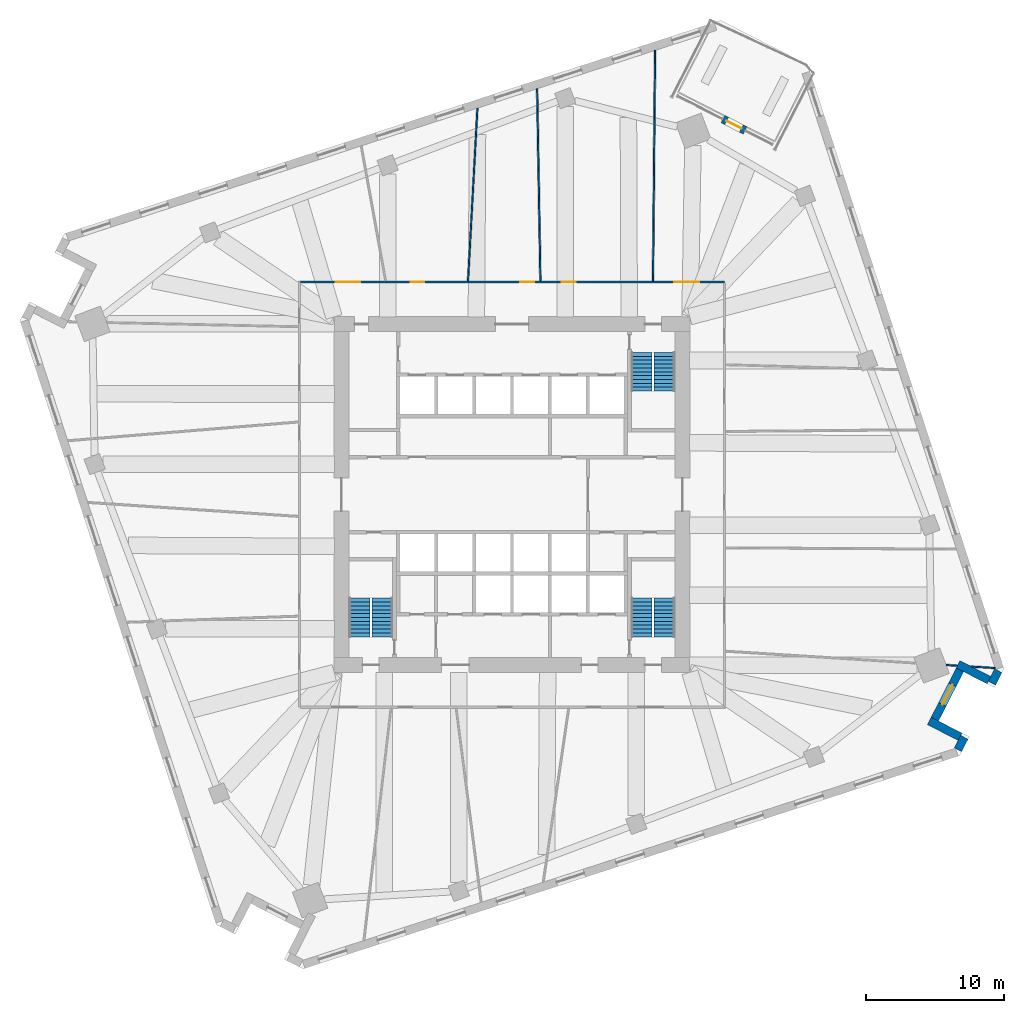
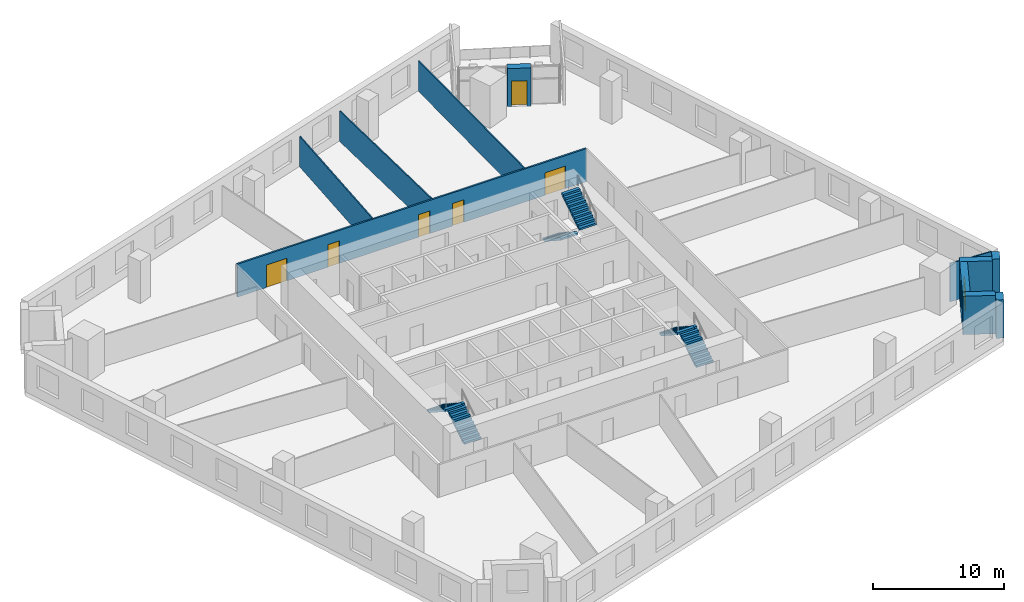
# One storey, part 10 of 12: 12 walls, 6 doors, 6 stair flights, 1 window, 7 openings, 3 elements without a shape of their own.
"""IFC4 building model written with IfcOpenShell, lengths in metres."""

from ifc_helpers import new_model, si_unit, direction, frame, frame_2d, origin, place, context, subcontext, project, spatial, polyline, rectangle, outline, extrude, material, layer, layer_set, type_object, element, fill, aggregate, save


model = new_model("IFC4")

# Units and contexts
model_context = context("Model", 3, precision=1e-05, world=origin(), true_north=direction((0.0, 1.0)))
body_context = subcontext(model_context, "Body", "Model", "MODEL_VIEW")
ifc_project = project(units=[si_unit("LENGTHUNIT", "METRE"), si_unit("AREAUNIT", "SQUARE_METRE"), si_unit("VOLUMEUNIT", "CUBIC_METRE"), si_unit("PLANEANGLEUNIT", "RADIAN"), si_unit("MASSUNIT", "GRAM", prefix="KILO")], contexts=[model_context])

# Site, building, storey
site_placement = place(None, origin())
site = spatial("IfcSite", under=ifc_project, at=site_placement, CompositionType="ELEMENT")
building_placement = place(site_placement, origin())
building = spatial("IfcBuilding", under=site, at=building_placement, Name="Dilmun Exchange Tower", CompositionType="ELEMENT")
storey_placement = place(building_placement, frame((0.0, 0.0, 90.10009765625)))
storey = spatial("IfcBuildingStorey", under=building, at=storey_placement, Name="L20", CompositionType="ELEMENT", Elevation=90.10009765625)

# Wall, openings, doors
ifc_material_1 = material(Name="Corridor wall 150")
ifc_layer_1 = layer(ifc_material_1, 0.14990234375)
ifc_layer_set_1 = layer_set([ifc_layer_1], Name="Corridor wall 150")
wall_type_1 = type_object("IfcWallType", Name="Corridor wall 150", PredefinedType="PARTITIONING", material=ifc_layer_set_1)
wall_1_placement = place(storey_placement, frame((-15.324951171875, 15.39990234375, 0.0), z_axis=(0.0, 0.0, 1.0), x_axis=(1.0, 0.0, 0.0)))
wall_1 = element("IfcWall", 1, at=wall_1_placement, inside=storey, type_object=wall_type_1, Name="Corridor wall", PredefinedType="PARTITIONING", context=body_context, shape_type="SweptSolid", body=[
    extrude(rectangle(XDim=30.724853515625, YDim=0.14990234375, at=frame_2d((15.3623046875, 0.0))), origin(), (0.0, 0.0, 1.0), 3.079833984375),
])
opening_1_placement = place(wall_1_placement, frame((2.550048828125, 0.0, 0.0)))
opening_1 = element("IfcOpeningElement", 2, at=opening_1_placement, cuts=wall_1, Name="Opening TF20-D04", PredefinedType="OPENING", context=body_context, shape_type="SweptSolid", body=[
    extrude(rectangle(XDim=1.800048828125, YDim=2.10009765625, at=frame_2d((0.89990234375, 1.050048828125))), frame((0.0, 0.0849609375, 0.0), z_axis=(0.0, -1.0, 0.0), x_axis=(1.0, 0.0, 0.0)), (0.0, 0.0, 1.0), 0.169921875),
])
opening_2_placement = place(wall_1_placement, frame((7.97998046875, 0.0, 0.0)))
opening_2 = element("IfcOpeningElement", 3, at=opening_2_placement, cuts=wall_1, Name="Opening TF20-D09", PredefinedType="OPENING", context=body_context, shape_type="SweptSolid", body=[
    extrude(rectangle(XDim=1.0, YDim=2.10009765625, at=frame_2d((0.5, 1.050048828125))), frame((0.0, 0.0849609375, 0.0), z_axis=(0.0, -1.0, 0.0), x_axis=(1.0, 0.0, 0.0)), (0.0, 0.0, 1.0), 0.169921875),
])
opening_3_placement = place(wall_1_placement, frame((15.935302734375, 0.0, 0.0)))
opening_3 = element("IfcOpeningElement", 4, at=opening_3_placement, cuts=wall_1, Name="Opening TF20-D10", PredefinedType="OPENING", context=body_context, shape_type="SweptSolid", body=[
    extrude(rectangle(XDim=1.0, YDim=2.10009765625, at=frame_2d((0.5, 1.050048828125))), frame((0.0, 0.0849609375, 0.0), z_axis=(0.0, -1.0, 0.0), x_axis=(1.0, 0.0, 0.0)), (0.0, 0.0, 1.0), 0.169921875),
])
opening_4_placement = place(wall_1_placement, frame((18.93408203125, 0.0, 0.0)))
opening_4 = element("IfcOpeningElement", 5, at=opening_4_placement, cuts=wall_1, Name="Opening TF20-D12", PredefinedType="OPENING", context=body_context, shape_type="SweptSolid", body=[
    extrude(rectangle(XDim=1.0, YDim=2.10009765625, at=frame_2d((0.5, 1.050048828125))), frame((0.0, 0.0849609375, 0.0), z_axis=(0.0, -1.0, 0.0), x_axis=(1.0, 0.0, 0.0)), (0.0, 0.0, 1.0), 0.169921875),
])
opening_5_placement = place(wall_1_placement, frame((27.087646484375, 0.0, 0.0)))
opening_5 = element("IfcOpeningElement", 6, at=opening_5_placement, cuts=wall_1, Name="Opening TF20-D15", PredefinedType="OPENING", context=body_context, shape_type="SweptSolid", body=[
    extrude(rectangle(XDim=1.800048828125, YDim=2.10009765625, at=frame_2d((0.89990234375, 1.050048828125))), frame((0.0, 0.0849609375, 0.0), z_axis=(0.0, -1.0, 0.0), x_axis=(1.0, 0.0, 0.0)), (0.0, 0.0, 1.0), 0.169921875),
])
ifc_material_2 = material(Name="Fire door 1000 x 2100")
door_type_1 = type_object("IfcDoorType", Name="Fire door 1000 x 2100", OperationType="NOTDEFINED", PredefinedType="DOOR", material=ifc_material_2)
door_1_placement = place(opening_2_placement, origin())
door_1 = element("IfcDoor", 7, at=door_1_placement, inside=storey, type_object=door_type_1, Name="Door TF20-D09", OperationType="SINGLE_SWING_LEFT", OverallHeight=2.10009765625, OverallWidth=1.0, PredefinedType="DOOR", context=body_context, shape_type="SweptSolid", body=[
    extrude(rectangle(XDim=1.0, YDim=2.10009765625, at=frame_2d((0.5, 1.050048828125))), frame((0.0, 0.02490234375, 0.0), z_axis=(0.0, -1.0, 0.0), x_axis=(1.0, 0.0, 0.0)), (0.0, 0.0, 1.0), 0.050048828125),
])
fill(opening_2, door_1)
door_2_placement = place(opening_3_placement, origin())
door_2 = element("IfcDoor", 8, at=door_2_placement, inside=storey, type_object=door_type_1, Name="Door TF20-D10", OperationType="SINGLE_SWING_RIGHT", OverallHeight=2.10009765625, OverallWidth=1.0, PredefinedType="DOOR", context=body_context, shape_type="SweptSolid", body=[
    extrude(rectangle(XDim=1.0, YDim=2.10009765625, at=frame_2d((0.5, 1.050048828125))), frame((0.0, 0.02490234375, 0.0), z_axis=(0.0, -1.0, 0.0), x_axis=(1.0, 0.0, 0.0)), (0.0, 0.0, 1.0), 0.050048828125),
])
fill(opening_3, door_2)
door_3_placement = place(opening_4_placement, origin())
door_3 = element("IfcDoor", 9, at=door_3_placement, inside=storey, type_object=door_type_1, Name="Door TF20-D12", OperationType="SINGLE_SWING_LEFT", OverallHeight=2.10009765625, OverallWidth=1.0, PredefinedType="DOOR", context=body_context, shape_type="SweptSolid", body=[
    extrude(rectangle(XDim=1.0, YDim=2.10009765625, at=frame_2d((0.5, 1.050048828125))), frame((0.0, 0.02490234375, 0.0), z_axis=(0.0, -1.0, 0.0), x_axis=(1.0, 0.0, 0.0)), (0.0, 0.0, 1.0), 0.050048828125),
])
fill(opening_4, door_3)
ifc_material_3 = material(Name="Fire door pair 1800 x 2100")
door_type_2 = type_object("IfcDoorType", Name="Fire door pair 1800 x 2100", OperationType="NOTDEFINED", PredefinedType="DOOR", material=ifc_material_3)
door_4_placement = place(opening_1_placement, origin())
door_4 = element("IfcDoor", 10, at=door_4_placement, inside=storey, type_object=door_type_2, Name="Door TF20-D04", OperationType="DOUBLE_DOOR_SINGLE_SWING", OverallHeight=2.10009765625, OverallWidth=1.800048828125, PredefinedType="DOOR", context=body_context, shape_type="SweptSolid", body=[
    extrude(rectangle(XDim=1.800048828125, YDim=2.10009765625, at=frame_2d((0.89990234375, 1.050048828125))), frame((0.0, 0.02490234375, 0.0), z_axis=(0.0, -1.0, 0.0), x_axis=(1.0, 0.0, 0.0)), (0.0, 0.0, 1.0), 0.050048828125),
])
fill(opening_1, door_4)
door_5_placement = place(opening_5_placement, origin())
door_5 = element("IfcDoor", 11, at=door_5_placement, inside=storey, type_object=door_type_2, Name="Door TF20-D15", OperationType="DOUBLE_DOOR_SINGLE_SWING", OverallHeight=2.10009765625, OverallWidth=1.800048828125, PredefinedType="DOOR", context=body_context, shape_type="SweptSolid", body=[
    extrude(rectangle(XDim=1.800048828125, YDim=2.10009765625, at=frame_2d((0.89990234375, 1.050048828125))), frame((0.0, 0.02490234375, 0.0), z_axis=(0.0, -1.0, 0.0), x_axis=(1.0, 0.0, 0.0)), (0.0, 0.0, 1.0), 0.050048828125),
])
fill(opening_5, door_5)

# Walls
ifc_material_4 = material(Name="Partition 100")
ifc_layer_2 = layer(ifc_material_4, 0.10009765625)
ifc_layer_set_2 = layer_set([ifc_layer_2], Name="Partition 100")
wall_type_2 = type_object("IfcWallType", Name="Partition 100", PredefinedType="PARTITIONING", material=ifc_layer_set_2)
wall_2_placement = place(storey_placement, frame((-3.185791015625, 15.477783203125, 0.0), z_axis=(0.0, 0.0, 1.0), x_axis=(0.054322200438, 0.998523459183, 0.0)))
element("IfcWall", 12, at=wall_2_placement, inside=storey, type_object=wall_type_2, Name="Partition", PredefinedType="PARTITIONING", context=body_context, shape_type="SweptSolid", body=[
    extrude(rectangle(XDim=12.53466796875, YDim=0.10009765625, at=frame_2d((6.267333984375, 0.0))), origin(), (0.0, 0.0, 1.0), 2.829833984375),
])
wall_3_placement = place(storey_placement, frame((1.81982421875, 29.3994140625, 0.0), z_axis=(0.0, 0.0, 1.0), x_axis=(0.01714604741, -0.999852995724, 0.0)))
element("IfcWall", 13, at=wall_3_placement, inside=storey, type_object=wall_type_2, Name="Partition", PredefinedType="PARTITIONING", context=body_context, shape_type="SweptSolid", body=[
    extrude(rectangle(XDim=13.925537109375, YDim=0.10009765625, at=frame_2d((6.962890625, 0.0))), origin(), (0.0, 0.0, 1.0), 2.829833984375),
])
wall_4_placement = place(storey_placement, frame((10.213623046875, 15.475341796875, 0.0), z_axis=(0.0, 0.0, 1.0), x_axis=(0.00896123542, 0.999959847324, 0.0)))
element("IfcWall", 14, at=wall_4_placement, inside=storey, type_object=wall_type_2, Name="Partition", PredefinedType="PARTITIONING", context=body_context, shape_type="SweptSolid", body=[
    extrude(rectangle(XDim=16.70068359375, YDim=0.10009765625, at=frame_2d((8.350341796875, 0.0))), origin(), (0.0, 0.0, 1.0), 2.829833984375),
])
wall_5_placement = place(storey_placement, frame((31.451904296875, -12.341552734375, 0.0), z_axis=(0.0, 0.0, 1.0), x_axis=(0.998038567495, -0.062602059006, 0.0)))
element("IfcWall", 15, at=wall_5_placement, inside=storey, type_object=wall_type_2, Name="Partition", PredefinedType="PARTITIONING", context=body_context, shape_type="SweptSolid", body=[
    extrude(rectangle(XDim=0.815185546875, YDim=0.10009765625, at=frame_2d((0.40771484375, 0.0))), origin(), (0.0, 0.0, 1.0), 3.579833984375),
])
wall_6_placement = place(storey_placement, frame((33.294677734375, -12.45703125, 0.0), z_axis=(0.0, 0.0, 1.0), x_axis=(0.998041396796, -0.062556936314, 0.0)))
element("IfcWall", 16, at=wall_6_placement, inside=storey, type_object=wall_type_2, Name="Partition", PredefinedType="PARTITIONING", context=body_context, shape_type="SweptSolid", body=[
    extrude(rectangle(XDim=1.70166015625, YDim=0.10009765625, at=frame_2d((0.850830078125, 0.0))), origin(), (0.0, 0.0, 1.0), 3.579833984375),
])
ifc_material_5 = material(Name="Precast concrete C50/60", Category="concrete")
ifc_layer_3 = layer(ifc_material_5, 0.60009765625)
ifc_layer_set_3 = layer_set([ifc_layer_3], Name="Precast concrete C50/60")
wall_type_3 = type_object("IfcWallType", Name="Precast stone-clad wall 600", PredefinedType="STANDARD", material=ifc_layer_set_3)
wall_7_placement = place(storey_placement, frame((32.308837890625, -18.47900390625, 0.0), z_axis=(0.0, 0.0, 1.0), x_axis=(0.453864300157, 0.89107081483, 0.0)))
element("IfcWall", 17, at=wall_7_placement, inside=storey, type_object=wall_type_3, Name="Facade wall L20-16", PredefinedType="STANDARD", context=body_context, shape_type="SweptSolid", body=[
    extrude(rectangle(XDim=1.01123046875, YDim=0.60009765625, at=frame_2d((0.505615234375, 0.0))), origin(), (0.0, 0.0, 1.0), 3.579833984375),
])
wall_8_placement = place(storey_placement, frame((32.455078125, -17.531005859375, 0.0), z_axis=(0.0, 0.0, 1.0), x_axis=(-0.890982846276, 0.454036967263, 0.0)))
element("IfcWall", 18, at=wall_8_placement, inside=storey, type_object=wall_type_3, Name="Facade wall L20-17", PredefinedType="STANDARD", context=body_context, shape_type="SweptSolid", body=[
    extrude(rectangle(XDim=2.499755859375, YDim=0.60009765625, at=frame_2d((1.25, 0.0))), origin(), (0.0, 0.0, 1.0), 3.579833984375),
])

# Wall, opening, window
wall_9_placement = place(storey_placement, frame((30.631103515625, -16.264892578125, 0.0), z_axis=(0.0, 0.0, 1.0), x_axis=(0.454011719911, 0.890995711653, 0.0)))
wall_9 = element("IfcWall", 19, at=wall_9_placement, inside=storey, type_object=wall_type_3, Name="Facade wall L20-18", PredefinedType="STANDARD", context=body_context, shape_type="SweptSolid", body=[
    extrude(rectangle(XDim=4.000244140625, YDim=0.60009765625, at=frame_2d((2.0, 0.0))), origin(), (0.0, 0.0, 1.0), 3.579833984375),
])
opening_6_placement = place(wall_9_placement, frame((1.199951171875, 0.0, 0.89990234375)))
opening_6 = element("IfcOpeningElement", 20, at=opening_6_placement, cuts=wall_9, Name="Opening W160-210", PredefinedType="OPENING", context=body_context, shape_type="SweptSolid", body=[
    extrude(rectangle(XDim=1.60009765625, YDim=2.10009765625, at=frame_2d((0.800048828125, 1.050048828125))), frame((0.0, 0.31005859375, 0.0), z_axis=(0.0, -1.0, 0.0), x_axis=(1.0, 0.0, 0.0)), (0.0, 0.0, 1.0), 0.6201171875),
])
ifc_material_6 = material(Name="Clear low-emissivity glass in aluminium frame", Category="aluminium")
window_type = type_object("IfcWindowType", Name="Punched window 1600 x 2100", PartitioningType="DOUBLE_PANEL_VERTICAL", PredefinedType="WINDOW", material=ifc_material_6)
window_placement = place(opening_6_placement, origin())
window = element("IfcWindow", 21, at=window_placement, inside=storey, type_object=window_type, Name="Window 19.1", OverallHeight=2.10009765625, OverallWidth=1.60009765625, PartitioningType="SINGLE_PANEL", PredefinedType="WINDOW", context=body_context, shape_type="SweptSolid", body=[
    extrude(rectangle(XDim=1.60009765625, YDim=2.10009765625, at=frame_2d((0.800048828125, 1.050048828125))), frame((0.0, 0.030029296875, 0.0), z_axis=(0.0, -1.0, 0.0), x_axis=(1.0, 0.0, 0.0)), (0.0, 0.0, 1.0), 0.06005859375),
])
fill(opening_6, window)

# Walls
wall_10_placement = place(storey_placement, frame((32.31591796875, -12.29736328125, 0.0), z_axis=(0.0, 0.0, 1.0), x_axis=(0.891023102287, -0.453957961921, 0.0)))
element("IfcWall", 22, at=wall_10_placement, inside=storey, type_object=wall_type_3, Name="Facade wall L20-19", PredefinedType="STANDARD", context=body_context, shape_type="SweptSolid", body=[
    extrude(rectangle(XDim=2.500244140625, YDim=0.60009765625, at=frame_2d((1.25, 0.0))), origin(), (0.0, 0.0, 1.0), 3.579833984375),
])
wall_11_placement = place(storey_placement, frame((34.765380859375, -13.65771484375, 0.0), z_axis=(0.0, 0.0, 1.0), x_axis=(0.454055955632, 0.890973169717, 0.0)))
element("IfcWall", 23, at=wall_11_placement, inside=storey, type_object=wall_type_3, Name="Facade wall L20-20", PredefinedType="STANDARD", context=body_context, shape_type="SweptSolid", body=[
    extrude(rectangle(XDim=1.011474609375, YDim=0.60009765625, at=frame_2d((0.505859375, 0.0))), origin(), (0.0, 0.0, 1.0), 3.579833984375),
])

# Wall, opening, door
wall_12_placement = place(storey_placement, frame((16.884033203125, 26.387451171875, 0.0), z_axis=(0.0, 0.0, 1.0), x_axis=(-0.891010511763, 0.453982673599, 0.0)))
wall_12 = element("IfcWall", 24, at=wall_12_placement, inside=storey, type_object=wall_type_3, Name="Facade wall L20-01-D", PredefinedType="STANDARD", context=body_context, shape_type="SweptSolid", body=[
    extrude(rectangle(XDim=1.800048828125, YDim=0.60009765625, at=frame_2d((0.89990234375, 0.0))), origin(), (0.0, 0.0, 1.0), 3.579833984375),
])
opening_7_placement = place(wall_12_placement, frame((0.300048828125, 0.0, 0.0)))
opening_7 = element("IfcOpeningElement", 25, at=opening_7_placement, cuts=wall_12, Name="Opening GD-1", PredefinedType="OPENING", context=body_context, shape_type="SweptSolid", body=[
    extrude(rectangle(XDim=1.199951171875, YDim=2.39990234375, at=frame_2d((0.60009765625, 1.199951171875))), frame((0.0, 0.31005859375, 0.0), z_axis=(0.0, -1.0, 0.0), x_axis=(1.0, 0.0, 0.0)), (0.0, 0.0, 1.0), 0.6201171875),
])
door_type_3 = type_object("IfcDoorType", Name="Glazed garden door 1200 x 2400", OperationType="SINGLE_SWING_LEFT", PredefinedType="DOOR", material=ifc_material_6)
door_6_placement = place(opening_7_placement, origin())
door_6 = element("IfcDoor", 26, at=door_6_placement, inside=storey, type_object=door_type_3, Name="Garden terrace door", OperationType="SINGLE_SWING_LEFT", OverallHeight=2.39990234375, OverallWidth=1.199951171875, PredefinedType="DOOR", context=body_context, shape_type="SweptSolid", body=[
    extrude(rectangle(XDim=1.199951171875, YDim=2.39990234375, at=frame_2d((0.60009765625, 1.199951171875))), frame((0.0, 0.02490234375, 0.0), z_axis=(0.0, -1.0, 0.0), x_axis=(1.0, 0.0, 0.0)), (0.0, 0.0, 1.0), 0.050048828125),
])
fill(opening_7, door_6)

# Stair, stair flights
ifc_material_7 = material(Name="Concrete C40/50", Category="concrete")
stair_type = type_object("IfcStairType", Name="Exit stair 1500 half-turn", PredefinedType="HALF_TURN_STAIR", material=ifc_material_7)
stair_1_placement = place(storey_placement, origin())
stair_1 = element("IfcStair", 27, at=stair_1_placement, inside=storey, type_object=stair_type, Name="L20 Protected exit stair ST1", PredefinedType="HALF_TURN_STAIR")
stair_flight_type = type_object("IfcStairFlightType", Name="Exit stair flight 1500", PredefinedType="STRAIGHT", material=ifc_material_7)
stair_flight_1_placement = place(storey_placement, frame((9.39990234375, 10.300048828125, 0.0), z_axis=(0.0, 0.0, 1.0), x_axis=(0.0, -1.0, 0.0)))
stair_flight_1 = element("IfcStairFlight", 28, at=stair_flight_1_placement, type_object=stair_flight_type, Name="ST1 flight 1", NumberOfRisers=11, NumberOfTreads=10, PredefinedType="STRAIGHT", RiserHeight=0.181818182, TreadLength=0.28, context=body_context, shape_type="SweptSolid", body=[
    extrude(outline(polyline([(0.0, 0.0), (0.0, 0.181884765625), (0.280029296875, 0.181884765625), (0.280029296875, 0.363525390625), (0.56005859375, 0.363525390625), (0.56005859375, 0.54541015625), (0.840087890625, 0.54541015625), (0.840087890625, 0.727294921875), (1.1201171875, 0.727294921875), (1.1201171875, 0.9091796875), (1.39990234375, 0.9091796875), (1.39990234375, 1.0908203125), (1.679931640625, 1.0908203125), (1.679931640625, 1.272705078125), (1.9599609375, 1.272705078125), (1.9599609375, 1.45458984375), (2.239990234375, 1.45458984375), (2.239990234375, 1.636474609375), (2.52001953125, 1.636474609375), (2.52001953125, 1.818115234375), (2.800048828125, 1.818115234375), (2.800048828125, 2.0), (2.800048828125, 1.639404296875), (0.275146484375, 0.0), (0.0, 0.0)])), frame((0.0, 0.75, 0.0), z_axis=(0.0, -1.0, 0.0), x_axis=(1.0, 0.0, 0.0)), (0.0, 0.0, 1.0), 1.5),
])
stair_flight_2_placement = place(storey_placement, frame((11.050048828125, 7.5, 2.0), z_axis=(0.0, 0.0, 1.0), x_axis=(0.0, 1.0, 0.0)))
stair_flight_2 = element("IfcStairFlight", 29, at=stair_flight_2_placement, type_object=stair_flight_type, Name="ST1 flight 2", NumberOfRisers=11, NumberOfTreads=10, PredefinedType="STRAIGHT", RiserHeight=0.181818182, TreadLength=0.28, context=body_context, shape_type="SweptSolid", body=[
    extrude(outline(polyline([(0.0, 0.0), (0.0, 0.181884765625), (0.280029296875, 0.181884765625), (0.280029296875, 0.363525390625), (0.56005859375, 0.363525390625), (0.56005859375, 0.54541015625), (0.840087890625, 0.54541015625), (0.840087890625, 0.727294921875), (1.1201171875, 0.727294921875), (1.1201171875, 0.9091796875), (1.39990234375, 0.9091796875), (1.39990234375, 1.0908203125), (1.679931640625, 1.0908203125), (1.679931640625, 1.272705078125), (1.9599609375, 1.272705078125), (1.9599609375, 1.45458984375), (2.239990234375, 1.45458984375), (2.239990234375, 1.636474609375), (2.52001953125, 1.636474609375), (2.52001953125, 1.818115234375), (2.800048828125, 1.818115234375), (2.800048828125, 2.0), (2.800048828125, 1.639404296875), (0.275146484375, 0.0), (0.0, 0.0)])), frame((0.0, 0.75, 0.0), z_axis=(0.0, -1.0, 0.0), x_axis=(1.0, 0.0, 0.0)), (0.0, 0.0, 1.0), 1.5),
])
aggregate(stair_1, [stair_flight_1, stair_flight_2])

stair_2_placement = place(storey_placement, origin())
stair_2 = element("IfcStair", 30, at=stair_2_placement, inside=storey, type_object=stair_type, Name="L20 Protected exit stair ST2", PredefinedType="HALF_TURN_STAIR")
stair_flight_3_placement = place(storey_placement, frame((-9.39990234375, -10.300048828125, 0.0), z_axis=(0.0, 0.0, 1.0), x_axis=(0.0, 1.0, 0.0)))
stair_flight_3 = element("IfcStairFlight", 31, at=stair_flight_3_placement, type_object=stair_flight_type, Name="ST2 flight 1", NumberOfRisers=11, NumberOfTreads=10, PredefinedType="STRAIGHT", RiserHeight=0.181818182, TreadLength=0.28, context=body_context, shape_type="SweptSolid", body=[
    extrude(outline(polyline([(0.0, 0.0), (0.0, 0.181884765625), (0.280029296875, 0.181884765625), (0.280029296875, 0.363525390625), (0.56005859375, 0.363525390625), (0.56005859375, 0.54541015625), (0.840087890625, 0.54541015625), (0.840087890625, 0.727294921875), (1.1201171875, 0.727294921875), (1.1201171875, 0.9091796875), (1.39990234375, 0.9091796875), (1.39990234375, 1.0908203125), (1.679931640625, 1.0908203125), (1.679931640625, 1.272705078125), (1.9599609375, 1.272705078125), (1.9599609375, 1.45458984375), (2.239990234375, 1.45458984375), (2.239990234375, 1.636474609375), (2.52001953125, 1.636474609375), (2.52001953125, 1.818115234375), (2.800048828125, 1.818115234375), (2.800048828125, 2.0), (2.800048828125, 1.639404296875), (0.275146484375, 0.0), (0.0, 0.0)])), frame((0.0, 0.75, 0.0), z_axis=(0.0, -1.0, 0.0), x_axis=(1.0, 0.0, 0.0)), (0.0, 0.0, 1.0), 1.5),
])
stair_flight_4_placement = place(storey_placement, frame((-11.050048828125, -7.5, 2.0), z_axis=(0.0, 0.0, 1.0), x_axis=(0.0, -1.0, 0.0)))
stair_flight_4 = element("IfcStairFlight", 32, at=stair_flight_4_placement, type_object=stair_flight_type, Name="ST2 flight 2", NumberOfRisers=11, NumberOfTreads=10, PredefinedType="STRAIGHT", RiserHeight=0.181818182, TreadLength=0.28, context=body_context, shape_type="SweptSolid", body=[
    extrude(outline(polyline([(0.0, 0.0), (0.0, 0.181884765625), (0.280029296875, 0.181884765625), (0.280029296875, 0.363525390625), (0.56005859375, 0.363525390625), (0.56005859375, 0.54541015625), (0.840087890625, 0.54541015625), (0.840087890625, 0.727294921875), (1.1201171875, 0.727294921875), (1.1201171875, 0.9091796875), (1.39990234375, 0.9091796875), (1.39990234375, 1.0908203125), (1.679931640625, 1.0908203125), (1.679931640625, 1.272705078125), (1.9599609375, 1.272705078125), (1.9599609375, 1.45458984375), (2.239990234375, 1.45458984375), (2.239990234375, 1.636474609375), (2.52001953125, 1.636474609375), (2.52001953125, 1.818115234375), (2.800048828125, 1.818115234375), (2.800048828125, 2.0), (2.800048828125, 1.639404296875), (0.275146484375, 0.0), (0.0, 0.0)])), frame((0.0, 0.75, 0.0), z_axis=(0.0, -1.0, 0.0), x_axis=(1.0, 0.0, 0.0)), (0.0, 0.0, 1.0), 1.5),
])
aggregate(stair_2, [stair_flight_3, stair_flight_4])

stair_3_placement = place(storey_placement, origin())
stair_3 = element("IfcStair", 33, at=stair_3_placement, inside=storey, type_object=stair_type, Name="L20 Protected exit stair ST3", PredefinedType="HALF_TURN_STAIR")
stair_flight_5_placement = place(storey_placement, frame((11.050048828125, -10.300048828125, 0.0), z_axis=(0.0, 0.0, 1.0), x_axis=(0.0, 1.0, 0.0)))
stair_flight_5 = element("IfcStairFlight", 34, at=stair_flight_5_placement, type_object=stair_flight_type, Name="ST3 flight 1", NumberOfRisers=11, NumberOfTreads=10, PredefinedType="STRAIGHT", RiserHeight=0.181818182, TreadLength=0.28, context=body_context, shape_type="SweptSolid", body=[
    extrude(outline(polyline([(0.0, 0.0), (0.0, 0.181884765625), (0.280029296875, 0.181884765625), (0.280029296875, 0.363525390625), (0.56005859375, 0.363525390625), (0.56005859375, 0.54541015625), (0.840087890625, 0.54541015625), (0.840087890625, 0.727294921875), (1.1201171875, 0.727294921875), (1.1201171875, 0.9091796875), (1.39990234375, 0.9091796875), (1.39990234375, 1.0908203125), (1.679931640625, 1.0908203125), (1.679931640625, 1.272705078125), (1.9599609375, 1.272705078125), (1.9599609375, 1.45458984375), (2.239990234375, 1.45458984375), (2.239990234375, 1.636474609375), (2.52001953125, 1.636474609375), (2.52001953125, 1.818115234375), (2.800048828125, 1.818115234375), (2.800048828125, 2.0), (2.800048828125, 1.639404296875), (0.275146484375, 0.0), (0.0, 0.0)])), frame((0.0, 0.75, 0.0), z_axis=(0.0, -1.0, 0.0), x_axis=(1.0, 0.0, 0.0)), (0.0, 0.0, 1.0), 1.5),
])
stair_flight_6_placement = place(storey_placement, frame((9.39990234375, -7.5, 2.0), z_axis=(0.0, 0.0, 1.0), x_axis=(0.0, -1.0, 0.0)))
stair_flight_6 = element("IfcStairFlight", 35, at=stair_flight_6_placement, type_object=stair_flight_type, Name="ST3 flight 2", NumberOfRisers=11, NumberOfTreads=10, PredefinedType="STRAIGHT", RiserHeight=0.181818182, TreadLength=0.28, context=body_context, shape_type="SweptSolid", body=[
    extrude(outline(polyline([(0.0, 0.0), (0.0, 0.181884765625), (0.280029296875, 0.181884765625), (0.280029296875, 0.363525390625), (0.56005859375, 0.363525390625), (0.56005859375, 0.54541015625), (0.840087890625, 0.54541015625), (0.840087890625, 0.727294921875), (1.1201171875, 0.727294921875), (1.1201171875, 0.9091796875), (1.39990234375, 0.9091796875), (1.39990234375, 1.0908203125), (1.679931640625, 1.0908203125), (1.679931640625, 1.272705078125), (1.9599609375, 1.272705078125), (1.9599609375, 1.45458984375), (2.239990234375, 1.45458984375), (2.239990234375, 1.636474609375), (2.52001953125, 1.636474609375), (2.52001953125, 1.818115234375), (2.800048828125, 1.818115234375), (2.800048828125, 2.0), (2.800048828125, 1.639404296875), (0.275146484375, 0.0), (0.0, 0.0)])), frame((0.0, 0.75, 0.0), z_axis=(0.0, -1.0, 0.0), x_axis=(1.0, 0.0, 0.0)), (0.0, 0.0, 1.0), 1.5),
])
aggregate(stair_3, [stair_flight_5, stair_flight_6])

save(model, "model.ifc")
